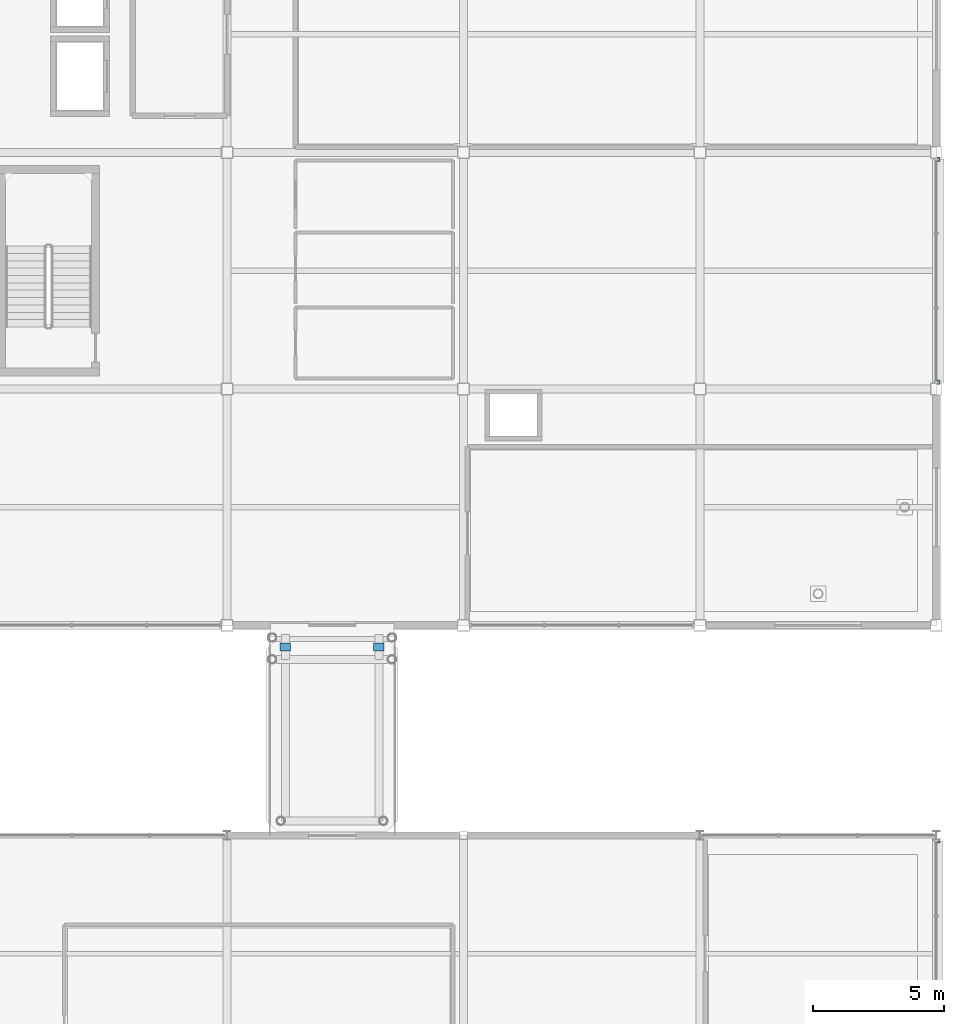
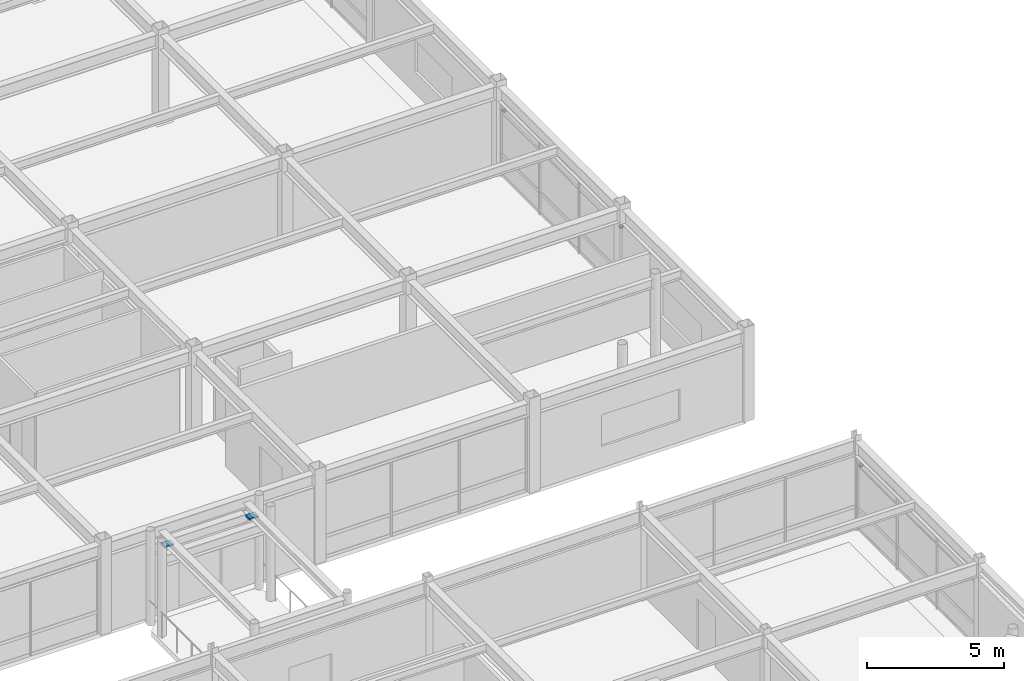
# One storey, part 91 of 108: 5 discrete accessories.
"""IFC4 building model written with IfcOpenShell, lengths in metres."""

import ifcopenshell
import ifcopenshell.guid

model = None  # the IFC model being written
_history = None  # IfcOwnerHistory: only IFC2X3 demands one
_inside = {}  # id of a spatial element -> (the spatial element, [elements in it])
_under = {}  # id of a project, library or spatial element -> (it, [spatial elements below it])
_declared = {}  # id of a project -> (the project, [libraries it declares])
_typed = {}  # id of a type object -> (the type object, [elements of that type])
_made_of = {}  # id of a material, layer set ... -> (it, [elements and type objects made of it])


def new_model(schema):
    """Start an empty IFC model of exactly this schema.

    Asked for "IFC4X3", IfcOpenShell would pick the latest addendum, in which some entities
    have other attributes; the version numbers below select the first issue.
    IFC2X3 requires an IfcOwnerHistory on every rooted entity: one is made here for all.
    """
    global model, _history
    if schema == "IFC4X3":
        model = ifcopenshell.file(schema_version=(4, 3, 0, 0))
    else:
        model = ifcopenshell.file(schema=schema)
    _inside.clear()
    _under.clear()
    _declared.clear()
    _typed.clear()
    _made_of.clear()
    _history = None
    if model.schema == "IFC2X3":
        org = make("IfcOrganization", Name="unknown")
        user = make(
            "IfcPersonAndOrganization",
            ThePerson=make("IfcPerson", FamilyName="unknown"),
            TheOrganization=org,
        )
        app = make(
            "IfcApplication",
            ApplicationDeveloper=org,
            Version="unknown",
            ApplicationFullName="unknown",
            ApplicationIdentifier="unknown",
        )
        _history = make(
            "IfcOwnerHistory",
            OwningUser=user,
            OwningApplication=app,
            ChangeAction="ADDED",
            CreationDate=0,
        )
    return model


def make(cls, **values):
    """One entity of the class cls with the attributes given. An attribute that is None is left unset."""
    return model.create_entity(
        cls, **{name: value for name, value in values.items() if value is not None}
    )


def rooted(cls, **values):
    """An entity with a GlobalId (a new one), such as an element, a storey or a relation."""
    return make(cls, GlobalId=ifcopenshell.guid.new(), OwnerHistory=_history, **values)


def si_unit(unit_type, name, prefix=None):
    """IfcSIUnit, for example si_unit("LENGTHUNIT", "METRE", prefix="MILLI")."""
    return make("IfcSIUnit", UnitType=unit_type, Prefix=prefix, Name=name)


def assignment(units):
    """IfcUnitAssignment: the units of a project."""
    return None if units is None else make("IfcUnitAssignment", Units=units)


def point(xyz):
    """IfcCartesianPoint."""
    return None if xyz is None else make("IfcCartesianPoint", Coordinates=xyz)


def direction(xyz):
    """IfcDirection."""
    return None if xyz is None else make("IfcDirection", DirectionRatios=xyz)


def frame(location, z_axis=None, x_axis=None):
    """IfcAxis2Placement3D, a coordinate frame: its origin and axes. An axis left out is left unset."""
    return make(
        "IfcAxis2Placement3D",
        Location=point(location),
        Axis=direction(z_axis),
        RefDirection=direction(x_axis),
    )


def frame_2d(location, x_axis=None):
    """IfcAxis2Placement2D, a coordinate frame in the plane: its origin and x axis."""
    return make(
        "IfcAxis2Placement2D", Location=point(location), RefDirection=direction(x_axis)
    )


def origin():
    """The frame at (0, 0, 0) with its axes left unset."""
    return frame((0.0, 0.0, 0.0))


def origin_2d():
    """The frame at (0, 0) in the plane with its x axis left unset."""
    return frame_2d((0.0, 0.0))


def place(relative_to, where):
    """IfcLocalPlacement: puts the frame where relative to a parent placement (None: the world)."""
    return make(
        "IfcLocalPlacement", PlacementRelTo=relative_to, RelativePlacement=where
    )


def context(
    kind, dimensions, precision=None, world=None, true_north=None, identifier=None
):
    """IfcGeometricRepresentationContext, for example the 3D "Model" context."""
    return make(
        "IfcGeometricRepresentationContext",
        ContextIdentifier=identifier,
        ContextType=kind,
        CoordinateSpaceDimension=dimensions,
        Precision=precision,
        WorldCoordinateSystem=world,
        TrueNorth=true_north,
    )


def subcontext(parent, identifier, kind, view, scale=None):
    """IfcGeometricRepresentationSubContext, for example "Body" below "Model"."""
    return make(
        "IfcGeometricRepresentationSubContext",
        ContextIdentifier=identifier,
        ContextType=kind,
        ParentContext=parent,
        TargetScale=scale,
        TargetView=view,
    )


def project(units=None, contexts=None):
    """IfcProject with its units and contexts."""
    return rooted(
        "IfcProject",
        Name="project",
        RepresentationContexts=contexts,
        UnitsInContext=assignment(units),
    )


def spatial(cls, under=None, at=None, **own):
    """A site, building, storey or space (cls), placed at a placement, below another one or the project."""
    s = rooted(cls, ObjectPlacement=at, **own)
    if under is not None:
        _under.setdefault(under.id(), (under, []))[1].append(s)
    return s


def profile(cls, at=None, kind="AREA", **sizes):
    """A parametric profile (cls). Its sizes go by their IFC names, for example OverallWidth=200.0."""
    return make(cls, ProfileType=kind, Position=at, **sizes)


def rectangle(**sizes):
    """IfcRectangleProfileDef."""
    return profile("IfcRectangleProfileDef", **sizes)


def extrude(swept, where, along, depth):
    """IfcExtrudedAreaSolid: the profile swept, set in the frame where, extruded along a direction by depth."""
    return make(
        "IfcExtrudedAreaSolid",
        SweptArea=swept,
        Position=where,
        ExtrudedDirection=direction(along),
        Depth=depth,
    )


def shape(context_of_items, identifier, shape_type, items):
    """IfcShapeRepresentation: the items that make up one representation, for example the "Body"."""
    return make(
        "IfcShapeRepresentation",
        ContextOfItems=context_of_items,
        RepresentationIdentifier=identifier,
        RepresentationType=shape_type,
        Items=items,
    )


def material(Name=None, Category=None):
    """IfcMaterial."""
    return make("IfcMaterial", Name=Name, Category=Category)


def made_of(thing, what):
    """Note that an element or type object is made of a material, layer set ...; save() writes the relation."""
    if what is not None:
        _made_of.setdefault(what.id(), (what, []))[1].append(thing)
    return thing


def type_object(cls, material=None, **own):
    """A type object (cls), such as IfcWallType, which elements share."""
    return made_of(rooted(cls, **own), material)


def element(
    cls,
    number,
    at=None,
    inside=None,
    cuts=None,
    type_object=None,
    material=None,
    context=None,
    identifier="Body",
    shape_type=None,
    held_by="IfcProductDefinitionShape",
    body=None,
    shapes=None,
    **own,
):
    """One element of the class cls, such as IfcWall. Its Tag is "e" and its number.

    at: its placement. inside: the storey or other place that contains it. cuts: it is an
    opening in that element (IfcRelVoidsElement). A single representation is given by context,
    identifier, shape_type and body (its items); several are given by shapes. held_by: the class
    of the entity that holds the representations. save() writes the other relations.
    """
    e = rooted(cls, Tag="e%d" % number, ObjectPlacement=at, **own)
    if body is not None:
        shapes = [shape(context, identifier, shape_type, body)]
    if shapes is not None:
        e.Representation = make(held_by, Representations=shapes)
    if inside is not None:
        _inside.setdefault(inside.id(), (inside, []))[1].append(e)
    if cuts is not None:
        rooted(
            "IfcRelVoidsElement", RelatingBuildingElement=cuts, RelatedOpeningElement=e
        )
    if type_object is not None:
        _typed.setdefault(type_object.id(), (type_object, []))[1].append(e)
    return made_of(e, material)


def aggregate(whole, parts):
    """IfcRelAggregates: a whole, such as a stair, and the parts it consists of."""
    return rooted("IfcRelAggregates", RelatingObject=whole, RelatedObjects=parts)


def save(model, path):
    """Write the relations noted so far, then the file.

    IfcRelAggregates (storeys below a building ...), IfcRelContainedInSpatialStructure (elements
    in a storey), IfcRelDefinesByType, IfcRelAssociatesMaterial and IfcRelDeclares: one each for
    every whole, place, type object, material and project.
    """
    for whole, parts in _under.values():
        aggregate(whole, parts)
    for where, things in _inside.values():
        rooted(
            "IfcRelContainedInSpatialStructure",
            RelatedElements=things,
            RelatingStructure=where,
        )
    for kind, things in _typed.values():
        rooted("IfcRelDefinesByType", RelatedObjects=things, RelatingType=kind)
    for what, things in _made_of.values():
        rooted("IfcRelAssociatesMaterial", RelatedObjects=things, RelatingMaterial=what)
    for by, libraries in _declared.values():
        rooted("IfcRelDeclares", RelatingContext=by, RelatedDefinitions=libraries)
    model.write(path)


model = new_model("IFC4")

# Units and contexts
model_context = context("Model", 3, precision=1e-05, world=origin(), true_north=direction((0.0, 1.0)))
body_context = subcontext(model_context, "Body", "Model", "MODEL_VIEW")
ifc_project = project(units=[si_unit("LENGTHUNIT", "METRE"), si_unit("AREAUNIT", "SQUARE_METRE"), si_unit("VOLUMEUNIT", "CUBIC_METRE"), si_unit("PLANEANGLEUNIT", "RADIAN"), si_unit("MASSUNIT", "GRAM", prefix="KILO")], contexts=[model_context])

# Site, building, storey
site_placement = place(None, origin())
site = spatial("IfcSite", under=ifc_project, at=site_placement, CompositionType="ELEMENT")
building_placement = place(site_placement, origin())
building = spatial("IfcBuilding", under=site, at=building_placement, Name="Suzunagisa Mobility Hub", CompositionType="ELEMENT")
storey_placement = place(building_placement, frame((0.0, 0.0, 9.300048828125)))
storey = spatial("IfcBuildingStorey", under=building, at=storey_placement, Name="L02", CompositionType="ELEMENT", Elevation=9.300048828125)

# Discrete accessories
ifc_material_1 = material(Name="Stainless Steel SUS316", Category="metal")
discrete_accessory_type_1 = type_object("IfcDiscreteAccessoryType", Name="Stainless Sunshade Outrigger Bracket BRK-01", PredefinedType="BRACKET", material=ifc_material_1)
for number, where, z_axis, x_axis, name in (
    (1, (180.0849609375, 35.800048828125, 2.7998046875), (0.0, 0.0, 1.0), (0.0, 1.0, 0.0), "Sunshade Outrigger Bracket BRK-33.2"),
    (2, (180.0849609375, 53.2548828125, 2.809814453125), (0.0, 0.0, 1.0), (0.0, 1.0, 0.0), "Sunshade Outrigger Bracket BRK-43.1"),
    (3, (180.0849609375, 61.7451171875, 2.809814453125), (0.0, 0.0, 1.0), (0.0, 1.0, 0.0), "Sunshade Outrigger Bracket BRK-43.2"),
):
    element("IfcDiscreteAccessory", number, at=place(storey_placement, frame(where, z_axis=z_axis, x_axis=x_axis)), inside=storey, type_object=discrete_accessory_type_1, Name=name, PredefinedType="BRACKET", context=body_context, shape_type="SweptSolid", body=[
        extrude(rectangle(XDim=0.159912109375, YDim=0.1201171875, at=origin_2d()), origin(), (0.0, 0.0, 1.0), 0.080078125),
    ])
ifc_material_2 = material(Name="PTFE Elastomeric Bearing Assembly")
discrete_accessory_type_2 = type_object("IfcDiscreteAccessoryType", Name="Unguided PTFE Sliding Bearing SBG-01", PredefinedType="SHOE", material=ifc_material_2)
for number, where, z_axis, x_axis, name in (
    (4, (155.219970703125, 43.175048828125, 3.530029296875), (0.0, 0.0, 1.0), (1.0, 0.0, 0.0), "Skybridge PTFE Sliding Bearing SB-05-A"),
    (5, (158.780029296875, 43.175048828125, 3.530029296875), (0.0, 0.0, 1.0), (1.0, 0.0, 0.0), "Skybridge PTFE Sliding Bearing SB-05-B"),
):
    element("IfcDiscreteAccessory", number, at=place(storey_placement, frame(where, z_axis=z_axis, x_axis=x_axis)), inside=storey, type_object=discrete_accessory_type_2, Name=name, PredefinedType="SHOE", context=body_context, shape_type="SweptSolid", body=[
        extrude(rectangle(XDim=0.39990234375, YDim=0.300048828125, at=origin_2d()), origin(), (0.0, 0.0, 1.0), 0.080078125),
    ])

save(model, "model.ifc")
